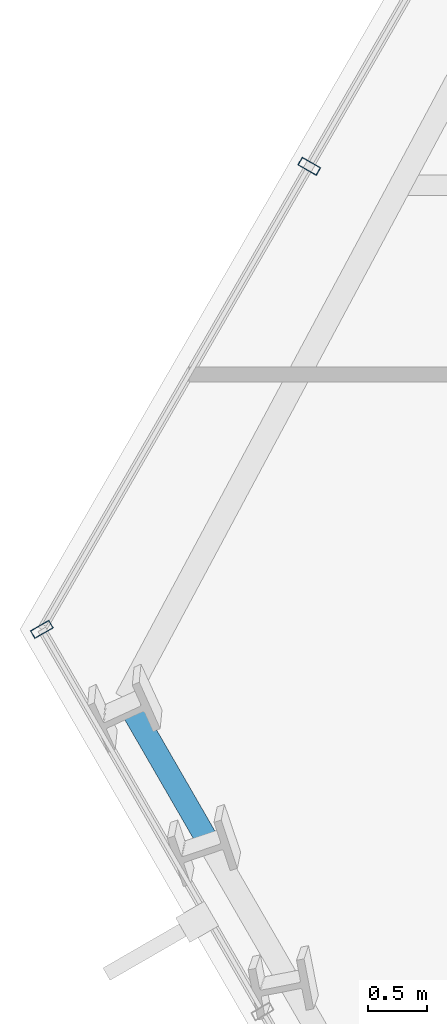
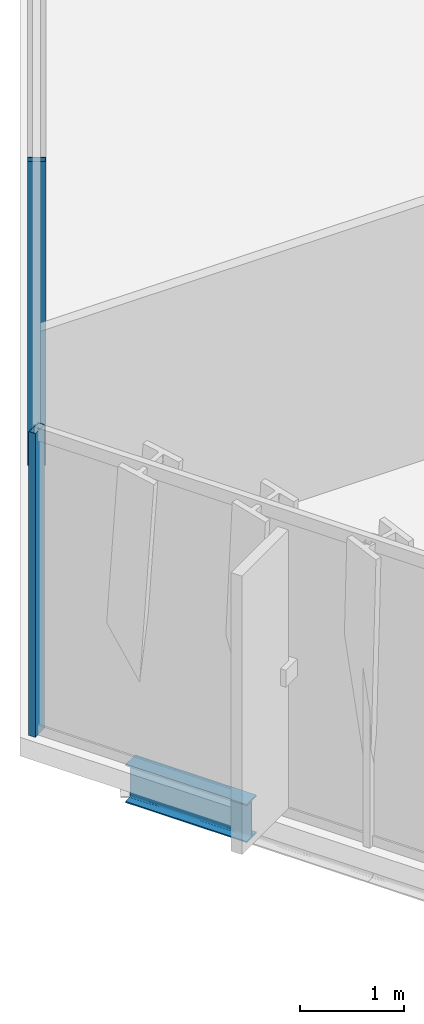
# One storey, part 5 of 32: 2 members, 1 beam, 2 elements without a shape of their own.
"""IFC4 building model written with IfcOpenShell, lengths in metres."""

from ifc_helpers import new_model, si_unit, direction, frame, origin, origin_2d, place, context, subcontext, project, spatial, hollow_rectangle, i_section, extrude, material, layer, layer_set, material_profile, profile_set, type_object, element, aggregate, save


model = new_model("IFC4")

# Units and contexts
model_context = context("Model", 3, precision=1e-05, world=origin(), true_north=direction((0.0, 1.0)))
body_context = subcontext(model_context, "Body", "Model", "MODEL_VIEW")
ifc_project = project(units=[si_unit("LENGTHUNIT", "METRE"), si_unit("AREAUNIT", "SQUARE_METRE"), si_unit("VOLUMEUNIT", "CUBIC_METRE"), si_unit("PLANEANGLEUNIT", "RADIAN"), si_unit("MASSUNIT", "GRAM", prefix="KILO")], contexts=[model_context])

# Site, building, storey
site_placement = place(None, origin())
site = spatial("IfcSite", under=ifc_project, at=site_placement, CompositionType="ELEMENT")
building_placement = place(site_placement, origin())
building = spatial("IfcBuilding", under=site, at=building_placement, Name="Ndaravel Arena Tower", CompositionType="ELEMENT")
storey_placement = place(building_placement, frame((0.0, 0.0, 157.39990234375)))
storey = spatial("IfcBuildingStorey", under=building, at=storey_placement, Name="L37", CompositionType="ELEMENT", Elevation=157.39990234375)

# Beam
ifc_material_1 = material(Name="Steel S355", Category="steel")
ifc_material_profile_1 = material_profile(ifc_material_1, i_section(OverallWidth=0.18994140625, OverallDepth=0.449951171875, WebThickness=0.009521484375, FlangeThickness=0.0146484375, FilletRadius=0.02099609375, at=origin_2d()), Name="IPE 450")
ifc_profile_set_1 = profile_set([ifc_material_profile_1], Name="Steel S355")
beam_type = type_object("IfcBeamType", Name="BM-SPAN-IPE450", PredefinedType="SPANDREL", material=ifc_profile_set_1)
beam_placement = place(storey_placement, frame((19.039794921875, 14.260009765625, -0.44482421875), z_axis=(0.49994655361, -0.866056258873, 0.0), x_axis=(0.866056258873, 0.49994655361, 0.0)))
element("IfcBeam", 1, at=beam_placement, inside=storey, type_object=beam_type, Name="L37 Perimeter Spandrel Beam SP-20", PredefinedType="SPANDREL", context=body_context, shape_type="SweptSolid", body=[
    extrude(i_section(OverallWidth=0.18994140625, OverallDepth=0.449951171875, WebThickness=0.009521484375, FlangeThickness=0.0146484375, FilletRadius=0.02099609375, at=origin_2d()), origin(), (0.0, 0.0, 1.0), 1.351806640625),
])

# Curtain wall, member
ifc_material_2 = material(Name="Aluminium", Category="aluminium")
ifc_layer_1 = layer(ifc_material_2, 0.179931640625)
ifc_layer_set_1 = layer_set([ifc_layer_1], Name="Aluminium")
curtain_wall_type_1 = type_object("IfcCurtainWallType", Name="CW-SYS-03", PredefinedType="NOTDEFINED", material=ifc_layer_set_1)
curtain_wall_1_placement = place(storey_placement, origin())
curtain_wall_1 = element("IfcCurtainWall", 2, at=curtain_wall_1_placement, inside=storey, type_object=curtain_wall_type_1, Name="L37 Faceted Crystal Curtain Wall CW-L37-E05", PredefinedType="NOTDEFINED")
ifc_material_3 = material(Name="Aluminium", Category="aluminium")
ifc_material_profile_2 = material_profile(ifc_material_3, hollow_rectangle(XDim=0.074951171875, YDim=0.179931640625, WallThickness=0.00390625, at=origin_2d()), Name="CW MULLION 75x180x4")
ifc_profile_set_2 = profile_set([ifc_material_profile_2], Name="Aluminium")
member_type = type_object("IfcMemberType", Name="MEM-CW-MUL180", PredefinedType="MULLION", material=ifc_profile_set_2)
member_1_placement = place(storey_placement, frame((20.591796875, 18.7587890625, 0.0), z_axis=(0.0, 0.0, 1.0), x_axis=(-0.5, -0.866025403784, 0.0)))
member_1 = element("IfcMember", 3, at=member_1_placement, type_object=member_type, Name="CW-L37-E05 Mullion 07", PredefinedType="MULLION", context=body_context, shape_type="SweptSolid", body=[
    extrude(hollow_rectangle(XDim=0.074951171875, YDim=0.179931640625, WallThickness=0.00390625, at=origin_2d()), origin(), (0.0, 0.0, 1.0), 3.580078125),
])
aggregate(curtain_wall_1, [member_1])

ifc_material_4 = material(Name="Aluminium", Category="aluminium")
ifc_layer_2 = layer(ifc_material_4, 0.179931640625)
ifc_layer_set_2 = layer_set([ifc_layer_2], Name="Aluminium")
curtain_wall_type_2 = type_object("IfcCurtainWallType", Name="CW-SYS-02", PredefinedType="NOTDEFINED", material=ifc_layer_set_2)
curtain_wall_2_placement = place(storey_placement, origin())
curtain_wall_2 = element("IfcCurtainWall", 4, at=curtain_wall_2_placement, inside=storey, type_object=curtain_wall_type_2, Name="L37 Faceted Crystal Curtain Wall CW-L37-E06", PredefinedType="NOTDEFINED")
member_2_placement = place(storey_placement, frame((18.332275390625, 14.845458984375, 0.0), z_axis=(0.0, 0.0, 1.0), x_axis=(0.5, -0.866025403784, 0.0)))
member_2 = element("IfcMember", 5, at=member_2_placement, type_object=member_type, Name="CW-L37-E06 Mullion 00", PredefinedType="MULLION", context=body_context, shape_type="SweptSolid", body=[
    extrude(hollow_rectangle(XDim=0.074951171875, YDim=0.179931640625, WallThickness=0.00390625, at=origin_2d()), origin(), (0.0, 0.0, 1.0), 3.580078125),
])
aggregate(curtain_wall_2, [member_2])

save(model, "model.ifc")
